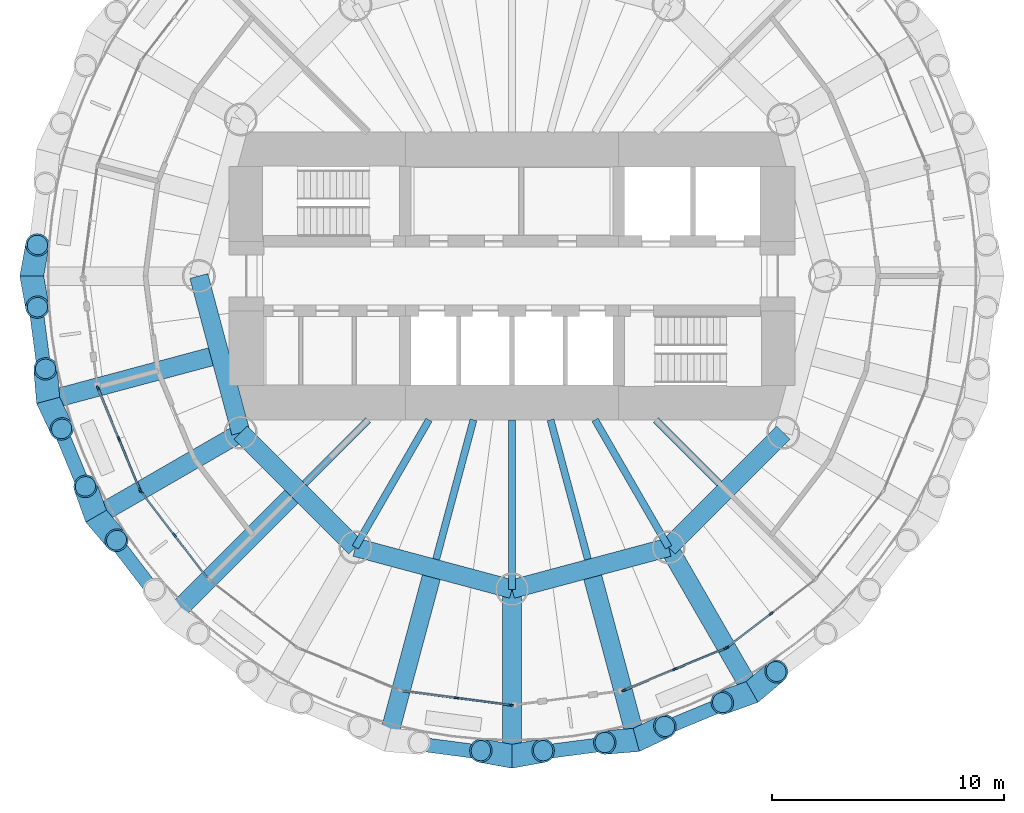
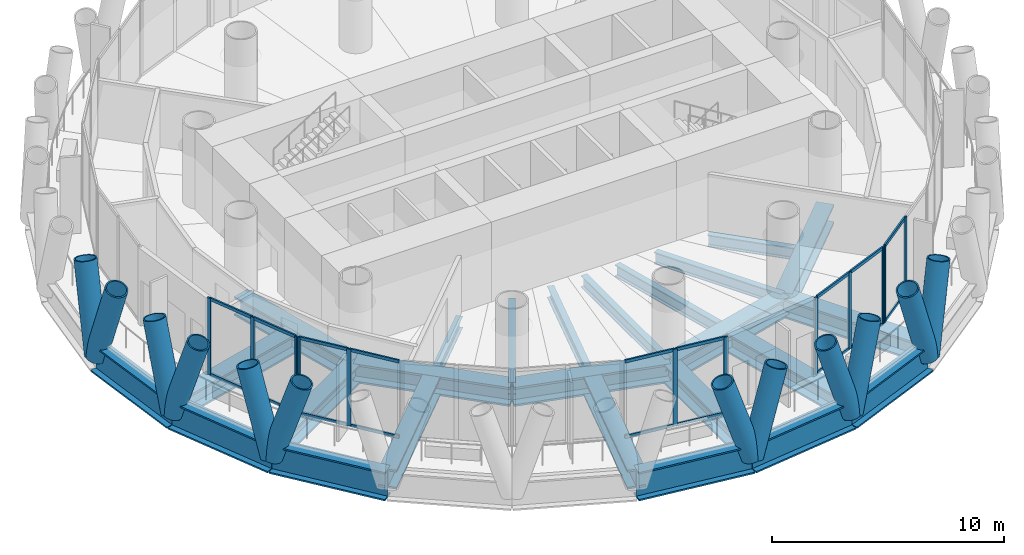
# One storey, part 2 of 12: 42 members, 25 beams, 5 elements without a shape of their own.
"""IFC4 building model written with IfcOpenShell, lengths in metres."""

from ifc_helpers import new_model, si_unit, direction, frame, origin, origin_2d, place, context, subcontext, project, spatial, rectangle, hollow_circle, i_section, extrude, material, material_profile, profile_set, type_object, element, aggregate, save


model = new_model("IFC4")

# Units and contexts
model_context = context("Model", 3, precision=1e-05, world=origin(), true_north=direction((0.0, 1.0)))
body_context = subcontext(model_context, "Body", "Model", "MODEL_VIEW")
ifc_project = project(units=[si_unit("LENGTHUNIT", "METRE"), si_unit("AREAUNIT", "SQUARE_METRE"), si_unit("VOLUMEUNIT", "CUBIC_METRE"), si_unit("PLANEANGLEUNIT", "RADIAN"), si_unit("MASSUNIT", "GRAM", prefix="KILO")], contexts=[model_context])

# Site, building, storey
site_placement = place(None, origin())
site = spatial("IfcSite", under=ifc_project, at=site_placement, CompositionType="ELEMENT")
building_placement = place(site_placement, origin())
building = spatial("IfcBuilding", under=site, at=building_placement, Name="Qaws Media Tower", CompositionType="ELEMENT")
storey_placement = place(building_placement, frame((0.0, 0.0, 278.0)))
storey = spatial("IfcBuildingStorey", under=building, at=storey_placement, Name="L64", CompositionType="ELEMENT", Elevation=278.0)

# Curtain wall, members
ifc_material_1 = material(Name="Aluminium and clear glass", Category="aluminium")
curtain_wall_type = type_object("IfcCurtainWallType", Name="Unitised curtain wall CW-D", PredefinedType="NOTDEFINED", material=ifc_material_1)
curtain_wall_1_placement = place(storey_placement, origin())
curtain_wall_1 = element("IfcCurtainWall", 1, at=curtain_wall_1_placement, inside=storey, type_object=curtain_wall_type, Name="CWD curtain wall L64-14", PredefinedType="NOTDEFINED")
ifc_material_2 = material(Name="Aluminium mullion", Category="aluminium")
ifc_material_profile_1 = material_profile(ifc_material_2, rectangle(XDim=0.080078125, YDim=0.199951171875, at=origin_2d()), Name="80x200")
ifc_profile_set_1 = profile_set([ifc_material_profile_1], Name="Aluminium mullion")
member_type_1 = type_object("IfcMemberType", Name="Curtain wall mullion 80x200", PredefinedType="MULLION", material=ifc_profile_set_1)
member_1_placement = place(storey_placement, frame((42.145751953125, 45.1748046875, 0.0), z_axis=(0.0, 0.0, 1.0), x_axis=(0.923879529205, 0.382683440347, 0.0)))
member_1 = element("IfcMember", 2, at=member_1_placement, type_object=member_type_1, Name="CWD mullion 1", PredefinedType="MULLION", context=body_context, shape_type="SweptSolid", body=[
    extrude(rectangle(XDim=0.080078125, YDim=0.199951171875, at=origin_2d()), origin(), (0.0, 0.0, 1.0), 4.0400390625),
])
member_2_placement = place(storey_placement, frame((43.054443359375, 42.98095703125, 0.0), z_axis=(0.0, 0.0, 1.0), x_axis=(0.923879529205, 0.382683440347, 0.0)))
member_2 = element("IfcMember", 3, at=member_2_placement, type_object=member_type_1, Name="CWD mullion 2", PredefinedType="MULLION", context=body_context, shape_type="SweptSolid", body=[
    extrude(rectangle(XDim=0.080078125, YDim=0.199951171875, at=origin_2d()), origin(), (0.0, 0.0, 1.0), 4.0400390625),
])
member_3_placement = place(storey_placement, frame((43.963134765625, 40.786865234375, 0.0), z_axis=(0.0, 0.0, 1.0), x_axis=(0.923879529205, 0.382683440347, 0.0)))
member_3 = element("IfcMember", 4, at=member_3_placement, type_object=member_type_1, Name="CWD mullion 3", PredefinedType="MULLION", context=body_context, shape_type="SweptSolid", body=[
    extrude(rectangle(XDim=0.080078125, YDim=0.199951171875, at=origin_2d()), origin(), (0.0, 0.0, 1.0), 4.0400390625),
])

curtain_wall_2_placement = place(storey_placement, origin())
curtain_wall_2 = element("IfcCurtainWall", 5, at=curtain_wall_2_placement, inside=storey, type_object=curtain_wall_type, Name="CWD curtain wall L64-15", PredefinedType="NOTDEFINED")
member_4_placement = place(storey_placement, frame((44.0029296875, 40.71826171875, 0.0), z_axis=(0.0, 0.0, 1.0), x_axis=(0.793353257417, 0.608761537012, 0.0)))
member_4 = element("IfcMember", 6, at=member_4_placement, type_object=member_type_1, Name="CWD mullion 1", PredefinedType="MULLION", context=body_context, shape_type="SweptSolid", body=[
    extrude(rectangle(XDim=0.080078125, YDim=0.199951171875, at=origin_2d()), origin(), (0.0, 0.0, 1.0), 4.0400390625),
])
member_5_placement = place(storey_placement, frame((45.448486328125, 38.834228515625, 0.0), z_axis=(0.0, 0.0, 1.0), x_axis=(0.793353257417, 0.608761537012, 0.0)))
member_5 = element("IfcMember", 7, at=member_5_placement, type_object=member_type_1, Name="CWD mullion 2", PredefinedType="MULLION", context=body_context, shape_type="SweptSolid", body=[
    extrude(rectangle(XDim=0.080078125, YDim=0.199951171875, at=origin_2d()), origin(), (0.0, 0.0, 1.0), 4.0400390625),
])

curtain_wall_3_placement = place(storey_placement, origin())
curtain_wall_3 = element("IfcCurtainWall", 8, at=curtain_wall_3_placement, inside=storey, type_object=curtain_wall_type, Name="CWD curtain wall L64-18", PredefinedType="NOTDEFINED")
member_6_placement = place(storey_placement, frame((57.60595703125, 31.815185546875, 0.0), z_axis=(0.0, 0.0, 1.0), x_axis=(0.130526157699, 0.991444865919, 0.0)))
member_6 = element("IfcMember", 9, at=member_6_placement, type_object=member_type_1, Name="CWD mullion 2", PredefinedType="MULLION", context=body_context, shape_type="SweptSolid", body=[
    extrude(rectangle(XDim=0.080078125, YDim=0.199951171875, at=origin_2d()), origin(), (0.0, 0.0, 1.0), 4.0400390625),
])
member_7_placement = place(storey_placement, frame((59.96044921875, 31.505126953125, 0.0), z_axis=(0.0, 0.0, 1.0), x_axis=(0.130526157699, 0.991444865919, 0.0)))
member_7 = element("IfcMember", 10, at=member_7_placement, type_object=member_type_1, Name="CWD mullion 3", PredefinedType="MULLION", context=body_context, shape_type="SweptSolid", body=[
    extrude(rectangle(XDim=0.080078125, YDim=0.199951171875, at=origin_2d()), origin(), (0.0, 0.0, 1.0), 4.0400390625),
])

curtain_wall_4_placement = place(storey_placement, origin())
curtain_wall_4 = element("IfcCurtainWall", 11, at=curtain_wall_4_placement, inside=storey, type_object=curtain_wall_type, Name="CWD curtain wall L64-20", PredefinedType="NOTDEFINED")
member_8_placement = place(storey_placement, frame((64.8251953125, 32.145751953125, 0.0), z_axis=(0.0, 0.0, 1.0), x_axis=(-0.382683440347, 0.923879529205, 0.0)))
member_8 = element("IfcMember", 12, at=member_8_placement, type_object=member_type_1, Name="CWD mullion 1", PredefinedType="MULLION", context=body_context, shape_type="SweptSolid", body=[
    extrude(rectangle(XDim=0.080078125, YDim=0.199951171875, at=origin_2d()), origin(), (0.0, 0.0, 1.0), 4.0400390625),
])
member_9_placement = place(storey_placement, frame((67.01904296875, 33.054443359375, 0.0), z_axis=(0.0, 0.0, 1.0), x_axis=(-0.382683440347, 0.923879529205, 0.0)))
member_9 = element("IfcMember", 13, at=member_9_placement, type_object=member_type_1, Name="CWD mullion 2", PredefinedType="MULLION", context=body_context, shape_type="SweptSolid", body=[
    extrude(rectangle(XDim=0.080078125, YDim=0.199951171875, at=origin_2d()), origin(), (0.0, 0.0, 1.0), 4.0400390625),
])
member_10_placement = place(storey_placement, frame((69.213134765625, 33.963134765625, 0.0), z_axis=(0.0, 0.0, 1.0), x_axis=(-0.382683440347, 0.923879529205, 0.0)))
member_10 = element("IfcMember", 14, at=member_10_placement, type_object=member_type_1, Name="CWD mullion 3", PredefinedType="MULLION", context=body_context, shape_type="SweptSolid", body=[
    extrude(rectangle(XDim=0.080078125, YDim=0.199951171875, at=origin_2d()), origin(), (0.0, 0.0, 1.0), 4.0400390625),
])

curtain_wall_5_placement = place(storey_placement, origin())
curtain_wall_5 = element("IfcCurtainWall", 15, at=curtain_wall_5_placement, inside=storey, type_object=curtain_wall_type, Name="CWD curtain wall L64-21", PredefinedType="NOTDEFINED")
member_11_placement = place(storey_placement, frame((69.28173828125, 34.0029296875, 0.0), z_axis=(0.0, 0.0, 1.0), x_axis=(-0.608761537012, 0.793353257417, 0.0)))
member_11 = element("IfcMember", 16, at=member_11_placement, type_object=member_type_1, Name="CWD mullion 1", PredefinedType="MULLION", context=body_context, shape_type="SweptSolid", body=[
    extrude(rectangle(XDim=0.080078125, YDim=0.199951171875, at=origin_2d()), origin(), (0.0, 0.0, 1.0), 4.0400390625),
])
member_12_placement = place(storey_placement, frame((71.165771484375, 35.448486328125, 0.0), z_axis=(0.0, 0.0, 1.0), x_axis=(-0.608761537012, 0.793353257417, 0.0)))
member_12 = element("IfcMember", 17, at=member_12_placement, type_object=member_type_1, Name="CWD mullion 2", PredefinedType="MULLION", context=body_context, shape_type="SweptSolid", body=[
    extrude(rectangle(XDim=0.080078125, YDim=0.199951171875, at=origin_2d()), origin(), (0.0, 0.0, 1.0), 4.0400390625),
])

# Member
ifc_material_3 = material(Name="Aluminium transom", Category="aluminium")
ifc_material_profile_2 = material_profile(ifc_material_3, rectangle(XDim=0.080078125, YDim=0.159912109375, at=origin_2d()), Name="80x160")
ifc_profile_set_2 = profile_set([ifc_material_profile_2], Name="Aluminium transom")
member_type_2 = type_object("IfcMemberType", Name="Curtain wall transom 80x160", PredefinedType="USERDEFINED", material=ifc_profile_set_2)
member_13_placement = place(storey_placement, frame((42.160888671875, 45.137939453125, 0.0400390625), z_axis=(0.382680655833, -0.923880682584, 0.0), x_axis=(0.923880682584, 0.382680655833, 0.0)))
member_13 = element("IfcMember", 18, at=member_13_placement, type_object=member_type_2, Name="CWD transom 1.1", ObjectType="TRANSOM", PredefinedType="USERDEFINED", context=body_context, shape_type="SweptSolid", body=[
    extrude(rectangle(XDim=0.080078125, YDim=0.159912109375, at=origin_2d()), origin(), (0.0, 0.0, 1.0), 2.294677734375),
])

member_14_placement = place(storey_placement, frame((42.160888671875, 45.137939453125, 4.0), z_axis=(0.382680655833, -0.923880682584, 0.0), x_axis=(0.923880682584, 0.382680655833, 0.0)))
member_14 = element("IfcMember", 19, at=member_14_placement, type_object=member_type_2, Name="CWD transom 1.2", ObjectType="TRANSOM", PredefinedType="USERDEFINED", context=body_context, shape_type="SweptSolid", body=[
    extrude(rectangle(XDim=0.080078125, YDim=0.159912109375, at=origin_2d()), origin(), (0.0, 0.0, 1.0), 2.294677734375),
])

member_15_placement = place(storey_placement, frame((43.06982421875, 42.94384765625, 0.0400390625), z_axis=(0.382718273122, -0.923865100228, 0.0), x_axis=(0.923865100228, 0.382718273122, 0.0)))
member_15 = element("IfcMember", 20, at=member_15_placement, type_object=member_type_2, Name="CWD transom 2.1", ObjectType="TRANSOM", PredefinedType="USERDEFINED", context=body_context, shape_type="SweptSolid", body=[
    extrude(rectangle(XDim=0.080078125, YDim=0.159912109375, at=origin_2d()), origin(), (0.0, 0.0, 1.0), 2.294677734375),
])

member_16_placement = place(storey_placement, frame((43.06982421875, 42.94384765625, 4.0), z_axis=(0.382718273122, -0.923865100228, 0.0), x_axis=(0.923865100228, 0.382718273122, 0.0)))
member_16 = element("IfcMember", 21, at=member_16_placement, type_object=member_type_2, Name="CWD transom 2.2", ObjectType="TRANSOM", PredefinedType="USERDEFINED", context=body_context, shape_type="SweptSolid", body=[
    extrude(rectangle(XDim=0.080078125, YDim=0.159912109375, at=origin_2d()), origin(), (0.0, 0.0, 1.0), 2.294677734375),
])

aggregate(curtain_wall_1, [member_1, member_2, member_3, member_13, member_14, member_15, member_16])

member_17_placement = place(storey_placement, frame((44.02734375, 40.6865234375, 0.0400390625), z_axis=(0.608697315925, -0.793402531875, 0.0), x_axis=(0.793402531875, 0.608697315925, 0.0)))
member_17 = element("IfcMember", 22, at=member_17_placement, type_object=member_type_2, Name="CWD transom 1.1", ObjectType="TRANSOM", PredefinedType="USERDEFINED", context=body_context, shape_type="SweptSolid", body=[
    extrude(rectangle(XDim=0.080078125, YDim=0.159912109375, at=origin_2d()), origin(), (0.0, 0.0, 1.0), 2.294677734375),
])

member_18_placement = place(storey_placement, frame((44.02734375, 40.6865234375, 4.0), z_axis=(0.608697315925, -0.793402531875, 0.0), x_axis=(0.793402531875, 0.608697315925, 0.0)))
member_18 = element("IfcMember", 23, at=member_18_placement, type_object=member_type_2, Name="CWD transom 1.2", ObjectType="TRANSOM", PredefinedType="USERDEFINED", context=body_context, shape_type="SweptSolid", body=[
    extrude(rectangle(XDim=0.080078125, YDim=0.159912109375, at=origin_2d()), origin(), (0.0, 0.0, 1.0), 2.294677734375),
])

member_19_placement = place(storey_placement, frame((45.472900390625, 38.802490234375, 0.0400390625), z_axis=(0.608764285018, -0.79335114879, 0.0), x_axis=(0.79335114879, 0.608764285018, 0.0)))
member_19 = element("IfcMember", 24, at=member_19_placement, type_object=member_type_2, Name="CWD transom 2.1", ObjectType="TRANSOM", PredefinedType="USERDEFINED", context=body_context, shape_type="SweptSolid", body=[
    extrude(rectangle(XDim=0.080078125, YDim=0.159912109375, at=origin_2d()), origin(), (0.0, 0.0, 1.0), 2.294677734375),
])

member_20_placement = place(storey_placement, frame((45.472900390625, 38.802490234375, 4.0), z_axis=(0.608764285018, -0.79335114879, 0.0), x_axis=(0.79335114879, 0.608764285018, 0.0)))
member_20 = element("IfcMember", 25, at=member_20_placement, type_object=member_type_2, Name="CWD transom 2.2", ObjectType="TRANSOM", PredefinedType="USERDEFINED", context=body_context, shape_type="SweptSolid", body=[
    extrude(rectangle(XDim=0.080078125, YDim=0.159912109375, at=origin_2d()), origin(), (0.0, 0.0, 1.0), 2.294677734375),
])

aggregate(curtain_wall_2, [member_4, member_5, member_17, member_18, member_19, member_20])

member_21_placement = place(storey_placement, frame((55.291259765625, 32.119873046875, 0.0400390625), z_axis=(0.991441253071, -0.130553597072, 0.0), x_axis=(0.130553597072, 0.991441253071, 0.0)))
member_21 = element("IfcMember", 26, at=member_21_placement, type_object=member_type_2, Name="CWD transom 1.1", ObjectType="TRANSOM", PredefinedType="USERDEFINED", context=body_context, shape_type="SweptSolid", body=[
    extrude(rectangle(XDim=0.080078125, YDim=0.159912109375, at=origin_2d()), origin(), (0.0, 0.0, 1.0), 2.29443359375),
])

member_22_placement = place(storey_placement, frame((55.291259765625, 32.119873046875, 4.0), z_axis=(0.991441253071, -0.130553597072, 0.0), x_axis=(0.130553597072, 0.991441253071, 0.0)))
member_22 = element("IfcMember", 27, at=member_22_placement, type_object=member_type_2, Name="CWD transom 1.2", ObjectType="TRANSOM", PredefinedType="USERDEFINED", context=body_context, shape_type="SweptSolid", body=[
    extrude(rectangle(XDim=0.080078125, YDim=0.159912109375, at=origin_2d()), origin(), (0.0, 0.0, 1.0), 2.29443359375),
])

member_23_placement = place(storey_placement, frame((57.6455078125, 31.81005859375, 0.0400390625), z_axis=(0.991443066303, -0.130539826414, 0.0), x_axis=(0.130539826414, 0.991443066303, 0.0)))
member_23 = element("IfcMember", 28, at=member_23_placement, type_object=member_type_2, Name="CWD transom 2.1", ObjectType="TRANSOM", PredefinedType="USERDEFINED", context=body_context, shape_type="SweptSolid", body=[
    extrude(rectangle(XDim=0.080078125, YDim=0.159912109375, at=origin_2d()), origin(), (0.0, 0.0, 1.0), 2.294677734375),
])

member_24_placement = place(storey_placement, frame((57.6455078125, 31.81005859375, 4.0), z_axis=(0.991443066303, -0.130539826414, 0.0), x_axis=(0.130539826414, 0.991443066303, 0.0)))
member_24 = element("IfcMember", 29, at=member_24_placement, type_object=member_type_2, Name="CWD transom 2.2", ObjectType="TRANSOM", PredefinedType="USERDEFINED", context=body_context, shape_type="SweptSolid", body=[
    extrude(rectangle(XDim=0.080078125, YDim=0.159912109375, at=origin_2d()), origin(), (0.0, 0.0, 1.0), 2.294677734375),
])

aggregate(curtain_wall_3, [member_6, member_7, member_21, member_22, member_23, member_24])

member_25_placement = place(storey_placement, frame((64.862060546875, 32.160888671875, 0.0400390625), z_axis=(0.923880682584, 0.382680655833, 0.0), x_axis=(-0.382680655833, 0.923880682584, 0.0)))
member_25 = element("IfcMember", 30, at=member_25_placement, type_object=member_type_2, Name="CWD transom 1.1", ObjectType="TRANSOM", PredefinedType="USERDEFINED", context=body_context, shape_type="SweptSolid", body=[
    extrude(rectangle(XDim=0.080078125, YDim=0.159912109375, at=origin_2d()), origin(), (0.0, 0.0, 1.0), 2.294677734375),
])

member_26_placement = place(storey_placement, frame((64.862060546875, 32.160888671875, 4.0), z_axis=(0.923880682584, 0.382680655833, 0.0), x_axis=(-0.382680655833, 0.923880682584, 0.0)))
member_26 = element("IfcMember", 31, at=member_26_placement, type_object=member_type_2, Name="CWD transom 1.2", ObjectType="TRANSOM", PredefinedType="USERDEFINED", context=body_context, shape_type="SweptSolid", body=[
    extrude(rectangle(XDim=0.080078125, YDim=0.159912109375, at=origin_2d()), origin(), (0.0, 0.0, 1.0), 2.294677734375),
])

member_27_placement = place(storey_placement, frame((67.05615234375, 33.06982421875, 0.0400390625), z_axis=(0.923865100228, 0.382718273122, 0.0), x_axis=(-0.382718273122, 0.923865100228, 0.0)))
member_27 = element("IfcMember", 32, at=member_27_placement, type_object=member_type_2, Name="CWD transom 2.1", ObjectType="TRANSOM", PredefinedType="USERDEFINED", context=body_context, shape_type="SweptSolid", body=[
    extrude(rectangle(XDim=0.080078125, YDim=0.159912109375, at=origin_2d()), origin(), (0.0, 0.0, 1.0), 2.294677734375),
])

member_28_placement = place(storey_placement, frame((67.05615234375, 33.06982421875, 4.0), z_axis=(0.923865100228, 0.382718273122, 0.0), x_axis=(-0.382718273122, 0.923865100228, 0.0)))
member_28 = element("IfcMember", 33, at=member_28_placement, type_object=member_type_2, Name="CWD transom 2.2", ObjectType="TRANSOM", PredefinedType="USERDEFINED", context=body_context, shape_type="SweptSolid", body=[
    extrude(rectangle(XDim=0.080078125, YDim=0.159912109375, at=origin_2d()), origin(), (0.0, 0.0, 1.0), 2.294677734375),
])

aggregate(curtain_wall_4, [member_8, member_9, member_10, member_25, member_26, member_27, member_28])

member_29_placement = place(storey_placement, frame((69.3134765625, 34.02734375, 0.0400390625), z_axis=(0.793402531875, 0.608697315925, 0.0), x_axis=(-0.608697315925, 0.793402531875, 0.0)))
member_29 = element("IfcMember", 34, at=member_29_placement, type_object=member_type_2, Name="CWD transom 1.1", ObjectType="TRANSOM", PredefinedType="USERDEFINED", context=body_context, shape_type="SweptSolid", body=[
    extrude(rectangle(XDim=0.080078125, YDim=0.159912109375, at=origin_2d()), origin(), (0.0, 0.0, 1.0), 2.294677734375),
])

member_30_placement = place(storey_placement, frame((69.3134765625, 34.02734375, 4.0), z_axis=(0.793402531875, 0.608697315925, 0.0), x_axis=(-0.608697315925, 0.793402531875, 0.0)))
member_30 = element("IfcMember", 35, at=member_30_placement, type_object=member_type_2, Name="CWD transom 1.2", ObjectType="TRANSOM", PredefinedType="USERDEFINED", context=body_context, shape_type="SweptSolid", body=[
    extrude(rectangle(XDim=0.080078125, YDim=0.159912109375, at=origin_2d()), origin(), (0.0, 0.0, 1.0), 2.294677734375),
])

aggregate(curtain_wall_5, [member_11, member_12, member_29, member_30])

# Members
ifc_material_4 = material(Name="Steel S460", Category="steel")
ifc_material_profile_3 = material_profile(ifc_material_4, hollow_circle(Radius=0.508056640625, WallThickness=0.070068359375, at=origin_2d()), Name="CHS 1016x70")
ifc_profile_set_3 = profile_set([ifc_material_profile_3], Name="Steel S460")
member_type_3 = type_object("IfcMemberType", Name="Diagrid member CHS 1016x70", PredefinedType="USERDEFINED", material=ifc_profile_set_3)
for number, where, z_axis, x_axis, name in (
    (36, (39.300048828125, 50.0, -0.909912109375), (0.055236104517, -0.303660346355, 0.951177883894), (0.98385557547, 0.178964260724, 0.0), "DG3 diagrid L64 A13"),
    (37, (39.300048828125, 50.0, -0.909912109375), (0.055236104517, 0.303660346355, 0.951177883894), (-0.98385557547, 0.178964260724, 0.0), "DG3 diagrid L64 B13"),
    (38, (40.00537109375, 44.642333984375, -0.909912109375), (0.131926269467, -0.279002496115, 0.951185085347), (0.904029469388, 0.427470137527, 0.0), "DG3 diagrid L64 A14"),
    (39, (40.00537109375, 44.642333984375, -0.909912109375), (-0.025267902202, 0.307638091585, 0.951167880936), (-0.996643879432, -0.081859499083, 0.0), "DG3 diagrid L64 B14"),
    (40, (42.0732421875, 39.64990234375, -0.909912109375), (0.199659430488, -0.23532277379, 0.951188364076), (0.762522527082, 0.646961664778, 0.0), "DG3 diagrid L64 A15"),
    (41, (42.0732421875, 39.64990234375, -0.909912109375), (-0.104002538317, 0.290609963526, 0.951172603223), (-0.941522862002, -0.336949106436, 0.0), "DG3 diagrid L64 B15"),
    (42, (60.0, 29.300048828125, -0.909912109375), (0.303660346355, 0.055236104517, 0.951177883894), (-0.178964260724, 0.98385557547, 0.0), "DG3 diagrid L64 A19"),
    (43, (60.0, 29.300048828125, -0.909912109375), (-0.303660346355, 0.055236104517, 0.951177883894), (-0.178964260724, -0.98385557547, 0.0), "DG3 diagrid L64 B19"),
    (44, (65.357666015625, 30.00537109375, -0.909912109375), (0.279002496115, 0.131926269467, 0.951185085347), (-0.427470137527, 0.904029469388, 0.0), "DG3 diagrid L64 A20"),
    (45, (65.357666015625, 30.00537109375, -0.909912109375), (-0.307638091585, -0.025267902202, 0.951167880936), (0.081859499083, -0.996643879432, 0.0), "DG3 diagrid L64 B20"),
    (46, (70.35009765625, 32.0732421875, -0.909912109375), (0.23532277379, 0.199659430488, 0.951188364076), (-0.646961664778, 0.762522527082, 0.0), "DG3 diagrid L64 A21"),
    (47, (70.35009765625, 32.0732421875, -0.909912109375), (-0.290609963526, -0.104002538317, 0.951172603223), (0.336949106436, -0.941522862002, 0.0), "DG3 diagrid L64 B21"),
):
    element("IfcMember", number, at=place(storey_placement, frame(where, z_axis=z_axis, x_axis=x_axis)), inside=storey, type_object=member_type_3, Name=name, ObjectType="DIAGRID", PredefinedType="USERDEFINED", context=body_context, shape_type="SweptSolid", body=[
        extrude(hollow_circle(Radius=0.508056640625, WallThickness=0.070068359375, at=origin_2d()), origin(), (0.0, 0.0, 1.0), 4.41552734375),
    ])

# Beams
ifc_material_5 = material(Name="Steel S460", Category="steel")
ifc_material_profile_4 = material_profile(ifc_material_5, i_section(OverallWidth=0.60009765625, OverallDepth=1.5, WebThickness=0.030029296875, FlangeThickness=0.080078125, at=origin_2d()), Name="PG 1500x600")
ifc_profile_set_4 = profile_set([ifc_material_profile_4], Name="Steel S460")
beam_type_1 = type_object("IfcBeamType", Name="Edge ring beam PG 1500x600", PredefinedType="BEAM", material=ifc_profile_set_4)
for number, where, z_axis, x_axis, name in (
    (48, (39.300048828125, 50.0, -0.909912109375), (0.130521126954, -0.991445528216, 0.0), (0.991445528216, 0.130521126954, 0.0), "RB5 edge ring beam L64-13"),
    (49, (40.00537109375, 44.642333984375, -0.909912109375), (0.382673670509, -0.923883575944, 0.0), (0.923883575944, 0.382673670509, 0.0), "RB5 edge ring beam L64-14"),
    (50, (42.0732421875, 39.64990234375, -0.909912109375), (0.608753981167, -0.793359055165, 0.0), (0.793359055165, 0.608753981167, 0.0), "RB5 edge ring beam L64-15"),
    (51, (54.642333984375, 30.00537109375, -0.909912109375), (0.991445528216, -0.130521126954, 0.0), (0.130521126954, 0.991445528216, 0.0), "RB5 edge ring beam L64-18"),
    (52, (60.0, 29.300048828125, -0.909912109375), (0.991445528216, 0.130521126954, 0.0), (-0.130521126954, 0.991445528216, 0.0), "RB5 edge ring beam L64-19"),
    (53, (65.357666015625, 30.00537109375, -0.909912109375), (0.923883575944, 0.382673670509, 0.0), (-0.382673670509, 0.923883575944, 0.0), "RB5 edge ring beam L64-20"),
):
    element("IfcBeam", number, at=place(storey_placement, frame(where, z_axis=z_axis, x_axis=x_axis)), inside=storey, type_object=beam_type_1, Name=name, PredefinedType="BEAM", context=body_context, shape_type="SweptSolid", body=[
        extrude(i_section(OverallWidth=0.60009765625, OverallDepth=1.5, WebThickness=0.030029296875, FlangeThickness=0.080078125, at=origin_2d()), origin(), (0.0, 0.0, 1.0), 5.40380859375),
    ])
ifc_material_6 = material(Name="Steel S460", Category="steel")
ifc_material_profile_5 = material_profile(ifc_material_6, i_section(OverallWidth=0.800048828125, OverallDepth=1.0, WebThickness=0.0400390625, FlangeThickness=0.10009765625, at=origin_2d()), Name="PG 1000x800")
ifc_profile_set_5 = profile_set([ifc_material_profile_5], Name="Steel S460")
beam_type_2 = type_object("IfcBeamType", Name="Inner ring girder PG 1000x800", PredefinedType="BEAM", material=ifc_profile_set_5)
beam_1_placement = place(storey_placement, frame((46.5, 50.0, -0.659912109375), z_axis=(0.258810593767, -0.965928090778, 0.0), x_axis=(0.965928090778, 0.258810593767, 0.0)))
element("IfcBeam", 54, at=beam_1_placement, inside=storey, type_object=beam_type_2, Name="B3 inner ring beam L64 I07-I08", PredefinedType="BEAM", context=body_context, shape_type="SweptSolid", body=[
    extrude(i_section(OverallWidth=0.800048828125, OverallDepth=1.0, WebThickness=0.0400390625, FlangeThickness=0.10009765625, at=origin_2d()), origin(), (0.0, 0.0, 1.0), 6.988037109375),
])
beam_2_placement = place(storey_placement, frame((48.30859375, 43.25, -0.659912109375), z_axis=(0.707106781187, -0.707106781187, 0.0), x_axis=(0.707106781187, 0.707106781187, 0.0)))
element("IfcBeam", 55, at=beam_2_placement, inside=storey, type_object=beam_type_2, Name="B3 inner ring beam L64 I08-I09", PredefinedType="BEAM", context=body_context, shape_type="SweptSolid", body=[
    extrude(i_section(OverallWidth=0.800048828125, OverallDepth=1.0, WebThickness=0.0400390625, FlangeThickness=0.10009765625, at=origin_2d()), origin(), (0.0, 0.0, 1.0), 6.98828125),
])
for number, where, z_axis, x_axis, name in (
    (56, (53.25, 38.30859375, -0.659912109375), (0.965928090778, -0.258810593767, 0.0), (0.258810593767, 0.965928090778, 0.0), "B3 inner ring beam L64 I09-I10"),
    (57, (60.0, 36.5, -0.659912109375), (0.965928090778, 0.258810593767, 0.0), (-0.258810593767, 0.965928090778, 0.0), "B3 inner ring beam L64 I10-I11"),
):
    element("IfcBeam", number, at=place(storey_placement, frame(where, z_axis=z_axis, x_axis=x_axis)), inside=storey, type_object=beam_type_2, Name=name, PredefinedType="BEAM", context=body_context, shape_type="SweptSolid", body=[
        extrude(i_section(OverallWidth=0.800048828125, OverallDepth=1.0, WebThickness=0.0400390625, FlangeThickness=0.10009765625, at=origin_2d()), origin(), (0.0, 0.0, 1.0), 6.988037109375),
    ])
beam_3_placement = place(storey_placement, frame((66.75, 38.30859375, -0.659912109375), z_axis=(0.707106781187, 0.707106781187, 0.0), x_axis=(-0.707106781187, 0.707106781187, 0.0)))
element("IfcBeam", 58, at=beam_3_placement, inside=storey, type_object=beam_type_2, Name="B3 inner ring beam L64 I11-I12", PredefinedType="BEAM", context=body_context, shape_type="SweptSolid", body=[
    extrude(i_section(OverallWidth=0.800048828125, OverallDepth=1.0, WebThickness=0.0400390625, FlangeThickness=0.10009765625, at=origin_2d()), origin(), (0.0, 0.0, 1.0), 6.98828125),
])
ifc_material_7 = material(Name="Steel S355", Category="steel")
ifc_material_profile_6 = material_profile(ifc_material_7, i_section(OverallWidth=0.304931640625, OverallDepth=0.6201171875, WebThickness=0.02099609375, FlangeThickness=0.0400390625, FilletRadius=0.027099609375, at=origin_2d()), Name="HE 600 M")
ifc_profile_set_6 = profile_set([ifc_material_profile_6], Name="Steel S355")
beam_type_3 = type_object("IfcBeamType", Name="Radial beam HE 600 M, core side", PredefinedType="BEAM", material=ifc_profile_set_6)
beam_4_placement = place(storey_placement, frame((53.800048828125, 43.800048828125, -0.469970703125), z_axis=(-0.707106781187, -0.707106781187, 0.0), x_axis=(0.707106781187, -0.707106781187, 0.0)))
element("IfcBeam", 59, at=beam_4_placement, inside=storey, type_object=beam_type_3, Name="B2 radial beam L64 16", PredefinedType="BEAM", context=body_context, shape_type="SweptSolid", body=[
    extrude(i_section(OverallWidth=0.304931640625, OverallDepth=0.6201171875, WebThickness=0.02099609375, FlangeThickness=0.0400390625, FilletRadius=0.027099609375, at=origin_2d()), origin(), (0.0, 0.0, 1.0), 3.871826171875),
])
beam_5_placement = place(storey_placement, frame((56.42041015625, 43.800048828125, -0.469970703125), z_axis=(-0.499990193304, -0.866031065609, 0.0), x_axis=(0.866031065609, -0.499990193304, 0.0)))
element("IfcBeam", 60, at=beam_5_placement, inside=storey, type_object=beam_type_3, Name="B2 radial beam L64 17", PredefinedType="BEAM", context=body_context, shape_type="SweptSolid", body=[
    extrude(i_section(OverallWidth=0.304931640625, OverallDepth=0.6201171875, WebThickness=0.02099609375, FlangeThickness=0.0400390625, FilletRadius=0.027099609375, at=origin_2d()), origin(), (0.0, 0.0, 1.0), 6.341064453125),
])
beam_6_placement = place(storey_placement, frame((58.338623046875, 43.800048828125, -0.469970703125), z_axis=(-0.258808008719, -0.965928783412, 0.0), x_axis=(0.965928783412, -0.258808008719, 0.0)))
element("IfcBeam", 61, at=beam_6_placement, inside=storey, type_object=beam_type_3, Name="B2 radial beam L64 18", PredefinedType="BEAM", context=body_context, shape_type="SweptSolid", body=[
    extrude(i_section(OverallWidth=0.304931640625, OverallDepth=0.6201171875, WebThickness=0.02099609375, FlangeThickness=0.0400390625, FilletRadius=0.027099609375, at=origin_2d()), origin(), (0.0, 0.0, 1.0), 6.22119140625),
])
beam_7_placement = place(storey_placement, frame((60.0, 43.800048828125, -0.469970703125), z_axis=(0.0, -1.0, 0.0), x_axis=(1.0, 0.0, 0.0)))
element("IfcBeam", 62, at=beam_7_placement, inside=storey, type_object=beam_type_3, Name="B2 radial beam L64 19", PredefinedType="BEAM", context=body_context, shape_type="SweptSolid", body=[
    extrude(i_section(OverallWidth=0.304931640625, OverallDepth=0.6201171875, WebThickness=0.02099609375, FlangeThickness=0.0400390625, FilletRadius=0.027099609375, at=origin_2d()), origin(), (0.0, 0.0, 1.0), 7.300048828125),
])
beam_8_placement = place(storey_placement, frame((61.661376953125, 43.800048828125, -0.469970703125), z_axis=(0.258808008719, -0.965928783412, 0.0), x_axis=(0.965928783412, 0.258808008719, 0.0)))
element("IfcBeam", 63, at=beam_8_placement, inside=storey, type_object=beam_type_3, Name="B2 radial beam L64 20", PredefinedType="BEAM", context=body_context, shape_type="SweptSolid", body=[
    extrude(i_section(OverallWidth=0.304931640625, OverallDepth=0.6201171875, WebThickness=0.02099609375, FlangeThickness=0.0400390625, FilletRadius=0.027099609375, at=origin_2d()), origin(), (0.0, 0.0, 1.0), 6.22119140625),
])
beam_9_placement = place(storey_placement, frame((63.57958984375, 43.800048828125, -0.469970703125), z_axis=(0.499990193304, -0.866031065609, 0.0), x_axis=(0.866031065609, 0.499990193304, 0.0)))
element("IfcBeam", 64, at=beam_9_placement, inside=storey, type_object=beam_type_3, Name="B2 radial beam L64 21", PredefinedType="BEAM", context=body_context, shape_type="SweptSolid", body=[
    extrude(i_section(OverallWidth=0.304931640625, OverallDepth=0.6201171875, WebThickness=0.02099609375, FlangeThickness=0.0400390625, FilletRadius=0.027099609375, at=origin_2d()), origin(), (0.0, 0.0, 1.0), 6.341064453125),
])
beam_10_placement = place(storey_placement, frame((66.199951171875, 43.800048828125, -0.469970703125), z_axis=(0.707106781187, -0.707106781187, 0.0), x_axis=(0.707106781187, 0.707106781187, 0.0)))
element("IfcBeam", 65, at=beam_10_placement, inside=storey, type_object=beam_type_3, Name="B2 radial beam L64 22", PredefinedType="BEAM", context=body_context, shape_type="SweptSolid", body=[
    extrude(i_section(OverallWidth=0.304931640625, OverallDepth=0.6201171875, WebThickness=0.02099609375, FlangeThickness=0.0400390625, FilletRadius=0.027099609375, at=origin_2d()), origin(), (0.0, 0.0, 1.0), 3.871826171875),
])
ifc_material_8 = material(Name="Steel S460", Category="steel")
ifc_material_profile_7 = material_profile(ifc_material_8, i_section(OverallWidth=0.800048828125, OverallDepth=1.0, WebThickness=0.0400390625, FlangeThickness=0.10009765625, at=origin_2d()), Name="PG 1000x800")
ifc_profile_set_7 = profile_set([ifc_material_profile_7], Name="Steel S460")
beam_type_4 = type_object("IfcBeamType", Name="Radial girder PG 1000x800", PredefinedType="BEAM", material=ifc_profile_set_7)
beam_11_placement = place(storey_placement, frame((47.01806640625, 46.521484375, -0.659912109375), z_axis=(-0.965922233104, -0.258832454679, 0.0), x_axis=(0.258832454679, -0.965922233104, 0.0)))
element("IfcBeam", 66, at=beam_11_placement, inside=storey, type_object=beam_type_4, Name="B1 radial beam L64 14", PredefinedType="BEAM", context=body_context, shape_type="SweptSolid", body=[
    extrude(i_section(OverallWidth=0.800048828125, OverallDepth=1.0, WebThickness=0.0400390625, FlangeThickness=0.10009765625, at=origin_2d()), origin(), (0.0, 0.0, 1.0), 7.260009765625),
])
beam_12_placement = place(storey_placement, frame((48.30859375, 43.25, -0.659912109375), z_axis=(-0.866018442252, -0.500012057535, 0.0), x_axis=(0.500012057535, -0.866018442252, 0.0)))
element("IfcBeam", 67, at=beam_12_placement, inside=storey, type_object=beam_type_4, Name="B1 radial beam L64 15", PredefinedType="BEAM", context=body_context, shape_type="SweptSolid", body=[
    extrude(i_section(OverallWidth=0.800048828125, OverallDepth=1.0, WebThickness=0.0400390625, FlangeThickness=0.10009765625, at=origin_2d()), origin(), (0.0, 0.0, 1.0), 7.199951171875),
])
beam_13_placement = place(storey_placement, frame((50.49658203125, 40.49658203125, -0.659912109375), z_axis=(-0.707106781187, -0.707106781187, 0.0), x_axis=(0.707106781187, -0.707106781187, 0.0)))
element("IfcBeam", 68, at=beam_13_placement, inside=storey, type_object=beam_type_4, Name="B1 radial beam L64 16", PredefinedType="BEAM", context=body_context, shape_type="SweptSolid", body=[
    extrude(i_section(OverallWidth=0.800048828125, OverallDepth=1.0, WebThickness=0.0400390625, FlangeThickness=0.10009765625, at=origin_2d()), origin(), (0.0, 0.0, 1.0), 7.26025390625),
])
beam_14_placement = place(storey_placement, frame((56.521484375, 37.01806640625, -0.659912109375), z_axis=(-0.258832454679, -0.965922233104, 0.0), x_axis=(0.965922233104, -0.258832454679, 0.0)))
element("IfcBeam", 69, at=beam_14_placement, inside=storey, type_object=beam_type_4, Name="B1 radial beam L64 18", PredefinedType="BEAM", context=body_context, shape_type="SweptSolid", body=[
    extrude(i_section(OverallWidth=0.800048828125, OverallDepth=1.0, WebThickness=0.0400390625, FlangeThickness=0.10009765625, at=origin_2d()), origin(), (0.0, 0.0, 1.0), 7.260009765625),
])
beam_15_placement = place(storey_placement, frame((60.0, 36.5, -0.659912109375), z_axis=(0.0, -1.0, 0.0), x_axis=(1.0, 0.0, 0.0)))
element("IfcBeam", 70, at=beam_15_placement, inside=storey, type_object=beam_type_4, Name="B1 radial beam L64 19", PredefinedType="BEAM", context=body_context, shape_type="SweptSolid", body=[
    extrude(i_section(OverallWidth=0.800048828125, OverallDepth=1.0, WebThickness=0.0400390625, FlangeThickness=0.10009765625, at=origin_2d()), origin(), (0.0, 0.0, 1.0), 7.199951171875),
])
beam_16_placement = place(storey_placement, frame((63.478515625, 37.01806640625, -0.659912109375), z_axis=(0.258832454679, -0.965922233104, 0.0), x_axis=(0.965922233104, 0.258832454679, 0.0)))
element("IfcBeam", 71, at=beam_16_placement, inside=storey, type_object=beam_type_4, Name="B1 radial beam L64 20", PredefinedType="BEAM", context=body_context, shape_type="SweptSolid", body=[
    extrude(i_section(OverallWidth=0.800048828125, OverallDepth=1.0, WebThickness=0.0400390625, FlangeThickness=0.10009765625, at=origin_2d()), origin(), (0.0, 0.0, 1.0), 7.260009765625),
])
beam_17_placement = place(storey_placement, frame((66.75, 38.30859375, -0.659912109375), z_axis=(0.500012057535, -0.866018442252, 0.0), x_axis=(0.866018442252, 0.500012057535, 0.0)))
element("IfcBeam", 72, at=beam_17_placement, inside=storey, type_object=beam_type_4, Name="B1 radial beam L64 21", PredefinedType="BEAM", context=body_context, shape_type="SweptSolid", body=[
    extrude(i_section(OverallWidth=0.800048828125, OverallDepth=1.0, WebThickness=0.0400390625, FlangeThickness=0.10009765625, at=origin_2d()), origin(), (0.0, 0.0, 1.0), 7.199951171875),
])

save(model, "model.ifc")
